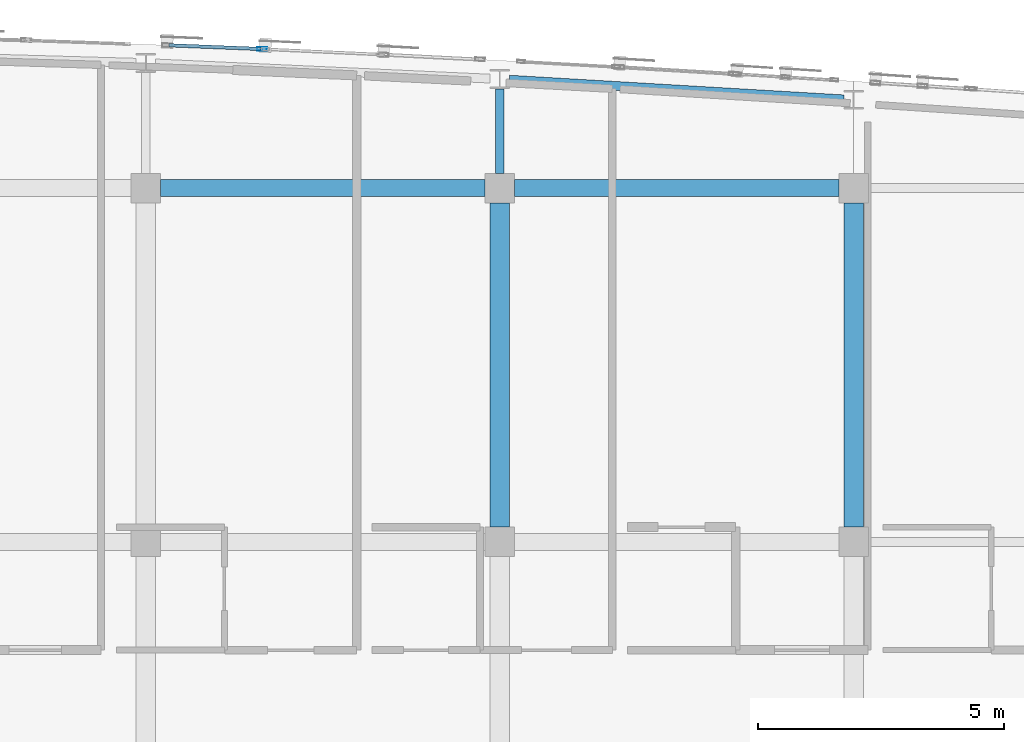
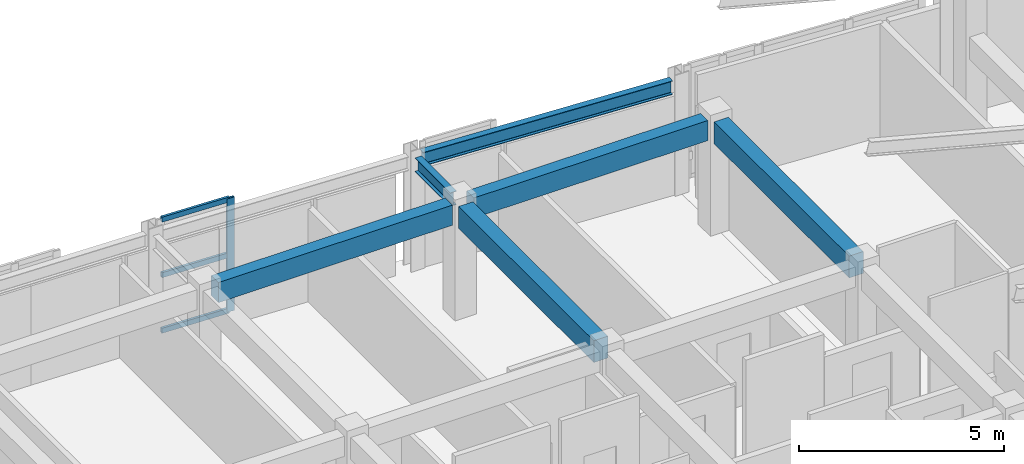
# One storey, part 19 of 41: 6 beams, 4 members, 1 element without a shape of its own.
"""IFC4 building model written with IfcOpenShell, lengths in metres."""

from ifc_helpers import new_model, si_unit, direction, frame, origin, origin_2d, place, context, subcontext, project, spatial, rectangle, hollow_rectangle, i_section, extrude, material, layer, layer_set, material_profile, profile_set, type_object, element, aggregate, save


model = new_model("IFC4")

# Units and contexts
model_context = context("Model", 3, precision=1e-05, world=origin(), true_north=direction((0.0, 1.0)))
body_context = subcontext(model_context, "Body", "Model", "MODEL_VIEW")
ifc_project = project(units=[si_unit("LENGTHUNIT", "METRE"), si_unit("AREAUNIT", "SQUARE_METRE"), si_unit("VOLUMEUNIT", "CUBIC_METRE"), si_unit("PLANEANGLEUNIT", "RADIAN"), si_unit("MASSUNIT", "GRAM", prefix="KILO")], contexts=[model_context])

# Site, building, storey
site_placement = place(None, origin())
site = spatial("IfcSite", under=ifc_project, at=site_placement, CompositionType="ELEMENT")
building_placement = place(site_placement, origin())
building = spatial("IfcBuilding", under=site, at=building_placement, Name="Carrowvane Square Congress Hotel", CompositionType="ELEMENT")
storey_placement = place(building_placement, frame((0.0, 0.0, 37.199951171875)))
storey = spatial("IfcBuildingStorey", under=building, at=storey_placement, Name="L09", CompositionType="ELEMENT", Elevation=37.199951171875)

# Beams
ifc_material_1 = material(Name="Concrete C35/45", Category="concrete")
ifc_material_profile_1 = material_profile(ifc_material_1, rectangle(XDim=0.35009765625, YDim=0.60009765625, at=origin_2d()), Name="RC 350x600")
ifc_profile_set_1 = profile_set([ifc_material_profile_1], Name="Concrete C35/45")
beam_type_1 = type_object("IfcBeamType", Name="BM-RC-350x600", PredefinedType="BEAM", material=ifc_profile_set_1)
for number, where, z_axis, x_axis, name in (
    (1, (112.699951171875, 113.39990234375, 3.080078125), (1.0, 0.0, 0.0), (0.0, 1.0, 0.0), "L10 girder R/15-16"),
    (2, (119.89990234375, 113.39990234375, 3.080078125), (1.0, 0.0, 0.0), (0.0, 1.0, 0.0), "L10 girder R/16-17"),
):
    element("IfcBeam", number, at=place(storey_placement, frame(where, z_axis=z_axis, x_axis=x_axis)), inside=storey, type_object=beam_type_1, Name=name, PredefinedType="BEAM", context=body_context, shape_type="SweptSolid", body=[
        extrude(rectangle(XDim=0.35009765625, YDim=0.60009765625, at=origin_2d()), origin(), (0.0, 0.0, 1.0), 6.60009765625),
    ])
ifc_material_2 = material(Name="Concrete C35/45", Category="concrete")
ifc_material_profile_2 = material_profile(ifc_material_2, rectangle(XDim=0.39990234375, YDim=0.64990234375, at=origin_2d()), Name="RC 400x650")
ifc_profile_set_2 = profile_set([ifc_material_profile_2], Name="Concrete C35/45")
beam_type_2 = type_object("IfcBeamType", Name="BM-RC-400x650", PredefinedType="BEAM", material=ifc_profile_set_2)
for number, where, z_axis, x_axis, name in (
    (3, (119.60009765625, 106.5, 3.054931640625), (0.0, 1.0, 0.0), (-1.0, 0.0, 0.0), "L10 girder 16/Q-R"),
    (4, (126.800048828125, 106.5, 3.054931640625), (0.0, 1.0, 0.0), (-1.0, 0.0, 0.0), "L10 girder 17/Q-R"),
):
    element("IfcBeam", number, at=place(storey_placement, frame(where, z_axis=z_axis, x_axis=x_axis)), inside=storey, type_object=beam_type_2, Name=name, PredefinedType="BEAM", context=body_context, shape_type="SweptSolid", body=[
        extrude(rectangle(XDim=0.39990234375, YDim=0.64990234375, at=origin_2d()), origin(), (0.0, 0.0, 1.0), 6.60009765625),
    ])
ifc_material_3 = material(Name="Steel S355", Category="steel")
ifc_material_profile_3 = material_profile(ifc_material_3, i_section(OverallWidth=0.1787109375, OverallDepth=0.409423828125, WebThickness=0.0087890625, FlangeThickness=0.014404296875, FilletRadius=0.01025390625, at=origin_2d()), Name="UKB 406x178x67")
ifc_profile_set_3 = profile_set([ifc_material_profile_3], Name="Steel S355")
beam_type_3 = type_object("IfcBeamType", Name="BM-ST-UKB406", PredefinedType="BEAM", material=ifc_profile_set_3)
beam_1_placement = place(storey_placement, frame((119.797119140625, 115.60595703125, 3.17529296875), z_axis=(0.998276101502, -0.058692633008, 0.0), x_axis=(0.058692633008, 0.998276101502, 0.0)))
element("IfcBeam", 5, at=beam_1_placement, inside=storey, type_object=beam_type_3, Name="L10 curved north spandrel", PredefinedType="BEAM", context=body_context, shape_type="SweptSolid", body=[
    extrude(i_section(OverallWidth=0.1787109375, OverallDepth=0.409423828125, WebThickness=0.0087890625, FlangeThickness=0.014404296875, FilletRadius=0.01025390625, at=origin_2d()), origin(), (0.0, 0.0, 1.0), 6.817626953125),
])
beam_2_placement = place(storey_placement, frame((119.60009765625, 113.699951171875, 3.17529296875), z_axis=(0.0, 1.0, 0.0), x_axis=(-1.0, 0.0, 0.0)))
element("IfcBeam", 6, at=beam_2_placement, inside=storey, type_object=beam_type_3, Name="L10 radial north beam 16", PredefinedType="BEAM", context=body_context, shape_type="SweptSolid", body=[
    extrude(i_section(OverallWidth=0.1787109375, OverallDepth=0.409423828125, WebThickness=0.0087890625, FlangeThickness=0.014404296875, FilletRadius=0.01025390625, at=origin_2d()), origin(), (0.0, 0.0, 1.0), 1.72021484375),
])

# Curtain wall, members
ifc_material_4 = material(Name="Anodised aluminium", Category="aluminium")
ifc_layer = layer(ifc_material_4, 0.174072265625)
ifc_layer_set = layer_set([ifc_layer], Name="Anodised aluminium")
curtain_wall_type = type_object("IfcCurtainWallType", Name="CW-SYS-2", PredefinedType="NOTDEFINED", material=ifc_layer_set)
curtain_wall_placement = place(storey_placement, origin())
curtain_wall = element("IfcCurtainWall", 7, at=curtain_wall_placement, inside=storey, type_object=curtain_wall_type, Name="L09 unitised curtain wall 537", PredefinedType="NOTDEFINED")
ifc_material_5 = material(Name="Anodised aluminium", Category="aluminium")
ifc_material_profile_4 = material_profile(ifc_material_5, hollow_rectangle(XDim=0.070068359375, YDim=0.199951171875, WallThickness=0.0048828125, at=origin_2d()), Name="CW-ML 70x200x5")
ifc_profile_set_4 = profile_set([ifc_material_profile_4], Name="Anodised aluminium")
member_type_1 = type_object("IfcMemberType", Name="CW-MUL-2", PredefinedType="MULLION", material=ifc_profile_set_4)
member_1_placement = place(storey_placement, frame((114.764892578125, 116.22900390625, 0.0), z_axis=(0.0, 0.0, 1.0), x_axis=(0.040130957403, 0.999194428656, 0.0)))
member_1 = element("IfcMember", 8, at=member_1_placement, type_object=member_type_1, Name="CW-2 mullion 2", PredefinedType="MULLION", context=body_context, shape_type="SweptSolid", body=[
    extrude(hollow_rectangle(XDim=0.070068359375, YDim=0.199951171875, WallThickness=0.0048828125, at=origin_2d()), origin(), (0.0, 0.0, 1.0), 3.380126953125),
])
ifc_material_6 = material(Name="Anodised aluminium", Category="aluminium")
ifc_material_profile_5 = material_profile(ifc_material_6, hollow_rectangle(XDim=0.070068359375, YDim=0.14990234375, WallThickness=0.0048828125, at=origin_2d()), Name="CW-TR 70x150x5")
ifc_profile_set_5 = profile_set([ifc_material_profile_5], Name="Anodised aluminium")
member_type_2 = type_object("IfcMemberType", Name="CW-TRN-2", PredefinedType="USERDEFINED", material=ifc_profile_set_5)
member_2_placement = place(storey_placement, frame((112.868896484375, 116.30517578125, 0.03515625), z_axis=(0.999195295271, -0.040109374308, 0.0), x_axis=(0.040109374308, 0.999195295271, 0.0)))
member_2 = element("IfcMember", 9, at=member_2_placement, type_object=member_type_2, Name="CW-2 transom 1.1", ObjectType="TRANSOM", PredefinedType="USERDEFINED", context=body_context, shape_type="SweptSolid", body=[
    extrude(hollow_rectangle(XDim=0.070068359375, YDim=0.14990234375, WallThickness=0.0048828125, at=origin_2d()), origin(), (0.0, 0.0, 1.0), 1.862548828125),
])
member_3_placement = place(storey_placement, frame((112.868896484375, 116.30517578125, 1.68994140625), z_axis=(0.999195295271, -0.040109374308, 0.0), x_axis=(0.040109374308, 0.999195295271, 0.0)))
member_3 = element("IfcMember", 10, at=member_3_placement, type_object=member_type_2, Name="CW-2 transom 1.2", ObjectType="TRANSOM", PredefinedType="USERDEFINED", context=body_context, shape_type="SweptSolid", body=[
    extrude(hollow_rectangle(XDim=0.070068359375, YDim=0.14990234375, WallThickness=0.0048828125, at=origin_2d()), origin(), (0.0, 0.0, 1.0), 1.862548828125),
])
member_4_placement = place(storey_placement, frame((112.868896484375, 116.30517578125, 3.344970703125), z_axis=(0.999195295271, -0.040109374308, 0.0), x_axis=(0.040109374308, 0.999195295271, 0.0)))
member_4 = element("IfcMember", 11, at=member_4_placement, type_object=member_type_2, Name="CW-2 transom 1.3", ObjectType="TRANSOM", PredefinedType="USERDEFINED", context=body_context, shape_type="SweptSolid", body=[
    extrude(hollow_rectangle(XDim=0.070068359375, YDim=0.14990234375, WallThickness=0.0048828125, at=origin_2d()), origin(), (0.0, 0.0, 1.0), 1.862548828125),
])
aggregate(curtain_wall, [member_1, member_2, member_3, member_4])

save(model, "model.ifc")
